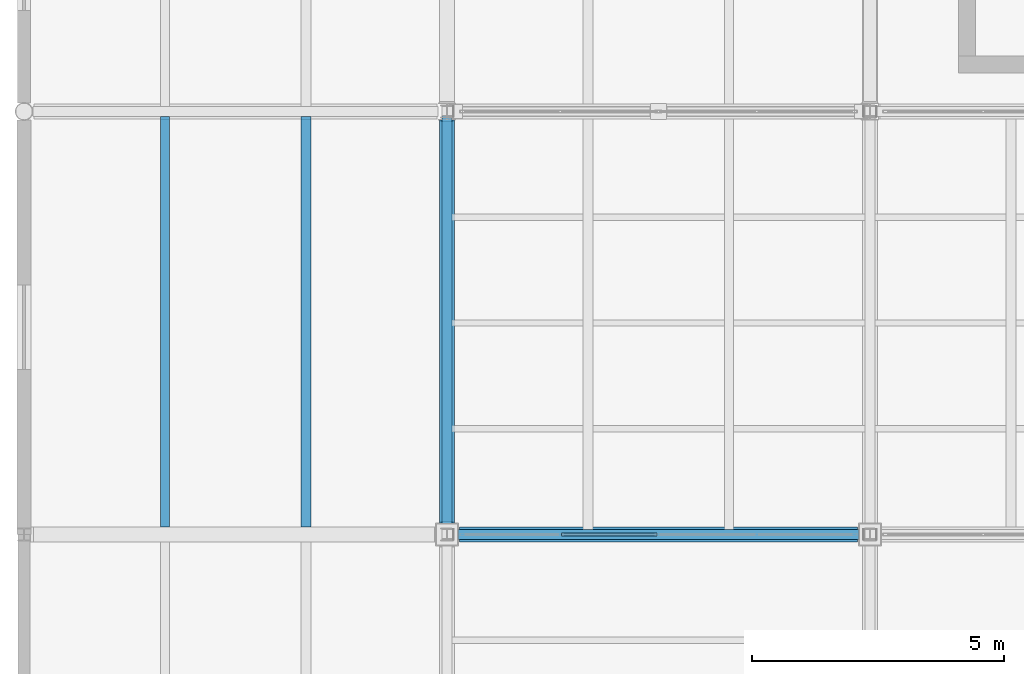
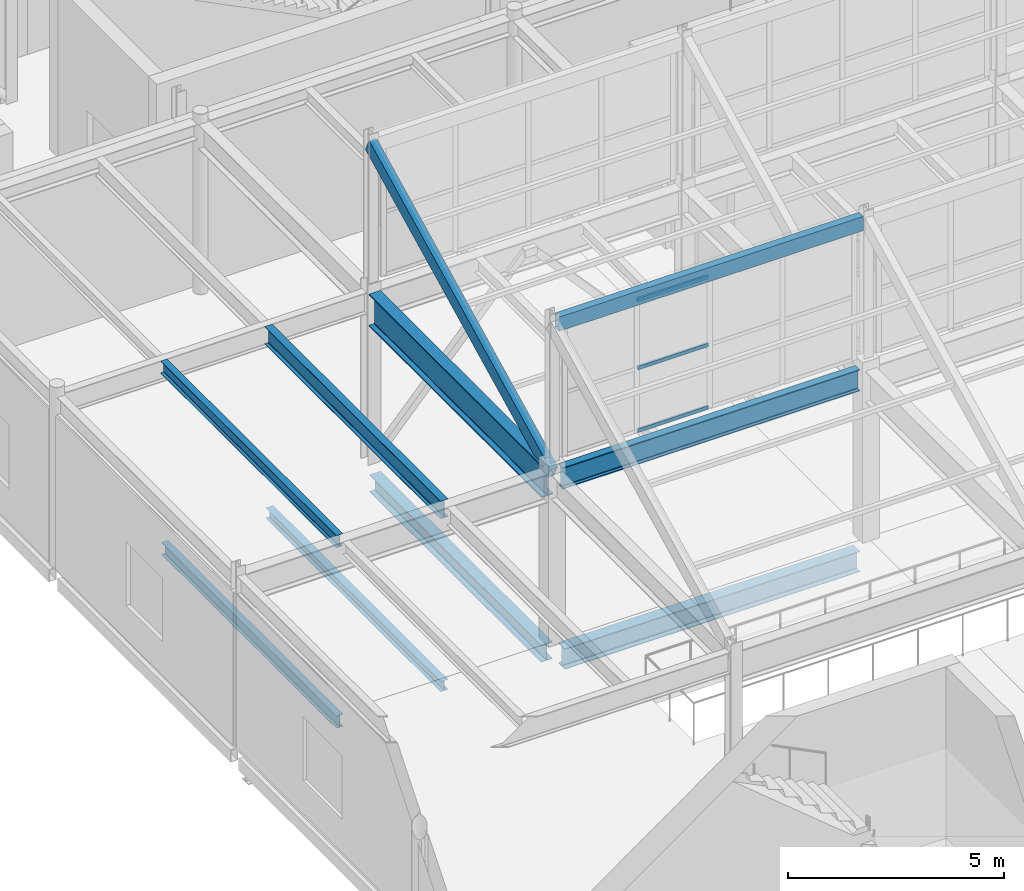
# One storey, part 29 of 91: 10 beams, 3 members, 1 element without a shape of its own.
"""IFC4 building model written with IfcOpenShell, lengths in metres."""

from ifc_helpers import new_model, si_unit, direction, frame, origin, origin_2d, place, context, subcontext, project, spatial, hollow_rectangle, i_section, extrude, material, layer, layer_set, material_profile, profile_set, type_object, element, aggregate, save


model = new_model("IFC4")

# Units and contexts
model_context = context("Model", 3, precision=1e-05, world=origin(), true_north=direction((0.0, 1.0)))
body_context = subcontext(model_context, "Body", "Model", "MODEL_VIEW")
ifc_project = project(units=[si_unit("LENGTHUNIT", "METRE"), si_unit("AREAUNIT", "SQUARE_METRE"), si_unit("VOLUMEUNIT", "CUBIC_METRE"), si_unit("PLANEANGLEUNIT", "RADIAN"), si_unit("MASSUNIT", "GRAM", prefix="KILO"), si_unit("THERMODYNAMICTEMPERATUREUNIT", "KELVIN")], contexts=[model_context])

# Site, building, storey
site_placement = place(None, origin())
site = spatial("IfcSite", under=ifc_project, at=site_placement, CompositionType="ELEMENT")
building_placement = place(site_placement, origin())
building = spatial("IfcBuilding", under=site, at=building_placement, Name="Lustrewick Department Store", CompositionType="ELEMENT")
storey_placement = place(building_placement, frame((0.0, 0.0, 21.60009765625)))
storey = spatial("IfcBuildingStorey", under=building, at=storey_placement, Name="L05", CompositionType="ELEMENT", Elevation=21.60009765625)

# Beams
ifc_material_1 = material(Name="Structural steel Q355B", Category="steel")
ifc_material_profile_1 = material_profile(ifc_material_1, i_section(OverallWidth=0.199951171875, OverallDepth=0.5, WebThickness=0.010009765625, FlangeThickness=0.01611328125, FilletRadius=0.01611328125, at=origin_2d()), Name="HN 500x200x10x16")
ifc_profile_set_1 = profile_set([ifc_material_profile_1], Name="Structural steel Q355B")
beam_type_1 = type_object("IfcBeamType", Name="B01", PredefinedType="JOIST", material=ifc_profile_set_1)
beam_1_placement = place(storey_placement, frame((123.199951171875, 33.7509765625, 4.594970703125), z_axis=(0.0, 1.0, 0.0), x_axis=(-1.0, 0.0, 0.0)))
element("IfcBeam", 1, at=beam_1_placement, inside=storey, type_object=beam_type_1, Name="L05 V3 Secondary Joist B01", PredefinedType="JOIST", context=body_context, shape_type="SweptSolid", body=[
    extrude(i_section(OverallWidth=0.199951171875, OverallDepth=0.5, WebThickness=0.010009765625, FlangeThickness=0.01611328125, FilletRadius=0.01611328125, at=origin_2d()), origin(), (0.0, 0.0, 1.0), 8.1484375),
])
ifc_material_profile_2 = material_profile(ifc_material_1, i_section(OverallWidth=0.175048828125, OverallDepth=0.35009765625, WebThickness=0.007080078125, FlangeThickness=0.010986328125, FilletRadius=0.012939453125, at=origin_2d()), Name="HN 350x175x7x11")
ifc_profile_set_2 = profile_set([ifc_material_profile_2], Name="Structural steel Q355B")
beam_type_2 = type_object("IfcBeamType", Name="B09", PredefinedType="JOIST", material=ifc_profile_set_2)
beam_2_placement = place(storey_placement, frame((120.39990234375, 33.74951171875, -0.43017578125), z_axis=(0.0, 1.0, 0.0), x_axis=(-1.0, 0.0, 0.0)))
element("IfcBeam", 2, at=beam_2_placement, inside=storey, type_object=beam_type_2, Name="L05 V3 Secondary Joist B09", PredefinedType="JOIST", context=body_context, shape_type="SweptSolid", body=[
    extrude(i_section(OverallWidth=0.175048828125, OverallDepth=0.35009765625, WebThickness=0.007080078125, FlangeThickness=0.010986328125, FilletRadius=0.012939453125, at=origin_2d()), origin(), (0.0, 0.0, 1.0), 8.1005859375),
])
ifc_material_profile_3 = material_profile(ifc_material_1, i_section(OverallWidth=0.174072265625, OverallDepth=0.345947265625, WebThickness=0.006103515625, FlangeThickness=0.009033203125, FilletRadius=0.012939453125, at=origin_2d()), Name="HN 346x174x6x9")
ifc_profile_set_3 = profile_set([ifc_material_profile_3], Name="Structural steel Q355B")
beam_type_3 = type_object("IfcBeamType", Name="B10", PredefinedType="JOIST", material=ifc_profile_set_3)
beam_3_placement = place(storey_placement, frame((120.39990234375, 33.7509765625, 4.671875), z_axis=(0.0, 1.0, 0.0), x_axis=(-1.0, 0.0, 0.0)))
element("IfcBeam", 3, at=beam_3_placement, inside=storey, type_object=beam_type_3, Name="L05 V3 Secondary Joist B10", PredefinedType="JOIST", context=body_context, shape_type="SweptSolid", body=[
    extrude(i_section(OverallWidth=0.174072265625, OverallDepth=0.345947265625, WebThickness=0.006103515625, FlangeThickness=0.009033203125, FilletRadius=0.012939453125, at=origin_2d()), origin(), (0.0, 0.0, 1.0), 8.1484375),
])
ifc_material_profile_4 = material_profile(ifc_material_1, i_section(OverallWidth=0.199951171875, OverallDepth=0.2939453125, WebThickness=0.008056640625, FlangeThickness=0.011962890625, FilletRadius=0.013916015625, at=origin_2d()), Name="HM 294x200x8x12")
ifc_profile_set_4 = profile_set([ifc_material_profile_4], Name="Structural steel Q355B")
beam_type_4 = type_object("IfcBeamType", Name="B13", PredefinedType="JOIST", material=ifc_profile_set_4)
beam_4_placement = place(storey_placement, frame((123.199951171875, 33.74951171875, -0.402099609375), z_axis=(0.0, 1.0, 0.0), x_axis=(-1.0, 0.0, 0.0)))
element("IfcBeam", 4, at=beam_4_placement, inside=storey, type_object=beam_type_4, Name="L05 V3 Secondary Joist B13", PredefinedType="JOIST", context=body_context, shape_type="SweptSolid", body=[
    extrude(i_section(OverallWidth=0.199951171875, OverallDepth=0.2939453125, WebThickness=0.008056640625, FlangeThickness=0.011962890625, FilletRadius=0.013916015625, at=origin_2d()), origin(), (0.0, 0.0, 1.0), 8.1005859375),
])

# Curtain wall, members
ifc_material_2 = material(Name="Thermally broken aluminium 6063-T5", Category="aluminium")
ifc_layer = layer(ifc_material_2, 0.139892578125, Name="Thermally broken aluminium 6063-T5")
ifc_layer_set = layer_set([ifc_layer], Name="Thermally broken aluminium 6063-T5")
curtain_wall_type = type_object("IfcCurtainWallType", Name="CW15", PredefinedType="NOTDEFINED", material=ifc_layer_set)
curtain_wall_placement = place(storey_placement, origin())
curtain_wall = element("IfcCurtainWall", 5, at=curtain_wall_placement, inside=storey, type_object=curtain_wall_type, Name="L05 North-Light Clerestory CW15", PredefinedType="NOTDEFINED")
ifc_material_profile_5 = material_profile(ifc_material_2, hollow_rectangle(XDim=0.054931640625, YDim=0.10009765625, WallThickness=0.0029296875, at=origin_2d()), Name="ALU-T 55x100x3")
ifc_profile_set_5 = profile_set([ifc_material_profile_5], Name="Thermally broken aluminium 6063-T5")
member_type = type_object("IfcMemberType", Name="CW15-T1", PredefinedType="USERDEFINED", material=ifc_profile_set_5)
member_1_placement = place(storey_placement, frame((128.277587890625, 33.60009765625, 5.12744140625), z_axis=(1.0, 0.0, 0.0), x_axis=(0.0, 1.0, 0.0)))
member_1 = element("IfcMember", 6, at=member_1_placement, type_object=member_type, Name="CW15 transom 2.1", ObjectType="TRANSOM", PredefinedType="USERDEFINED", context=body_context, shape_type="SweptSolid", body=[
    extrude(hollow_rectangle(XDim=0.054931640625, YDim=0.10009765625, WallThickness=0.0029296875, at=origin_2d()), origin(), (0.0, 0.0, 1.0), 1.89501953125),
])
member_2_placement = place(storey_placement, frame((128.277587890625, 33.60009765625, 6.89990234375), z_axis=(1.0, 0.0, 0.0), x_axis=(0.0, 1.0, 0.0)))
member_2 = element("IfcMember", 7, at=member_2_placement, type_object=member_type, Name="CW15 transom 2.2", ObjectType="TRANSOM", PredefinedType="USERDEFINED", context=body_context, shape_type="SweptSolid", body=[
    extrude(hollow_rectangle(XDim=0.054931640625, YDim=0.10009765625, WallThickness=0.0029296875, at=origin_2d()), origin(), (0.0, 0.0, 1.0), 1.89501953125),
])
member_3_placement = place(storey_placement, frame((128.277587890625, 33.60009765625, 8.822509765625), z_axis=(1.0, 0.0, 0.0), x_axis=(0.0, 1.0, 0.0)))
member_3 = element("IfcMember", 8, at=member_3_placement, type_object=member_type, Name="CW15 transom 2.3", ObjectType="TRANSOM", PredefinedType="USERDEFINED", context=body_context, shape_type="SweptSolid", body=[
    extrude(hollow_rectangle(XDim=0.054931640625, YDim=0.10009765625, WallThickness=0.0029296875, at=origin_2d()), origin(), (0.0, 0.0, 1.0), 1.89501953125),
])
aggregate(curtain_wall, [member_1, member_2, member_3])

# Beams
ifc_material_3 = material(Name="Structural steel Q355C", Category="steel")
ifc_material_profile_6 = material_profile(ifc_material_3, i_section(OverallWidth=0.302001953125, OverallDepth=0.912109375, WebThickness=0.01806640625, FlangeThickness=0.033935546875, FilletRadius=0.02392578125, at=origin_2d()), Name="HN 912x302x18x34")
ifc_profile_set_6 = profile_set([ifc_material_profile_6], Name="Structural steel Q355C")
beam_type_5 = type_object("IfcBeamType", Name="G01", PredefinedType="BEAM", material=ifc_profile_set_6)
beam_5_placement = place(storey_placement, frame((126.0, 33.824951171875, 4.388916015625), z_axis=(0.0, 1.0, 0.0), x_axis=(-1.0, 0.0, 0.0)))
element("IfcBeam", 9, at=beam_5_placement, inside=storey, type_object=beam_type_5, Name="L05 V3 Girder G01", PredefinedType="BEAM", context=body_context, shape_type="SweptSolid", body=[
    extrude(i_section(OverallWidth=0.302001953125, OverallDepth=0.912109375, WebThickness=0.01806640625, FlangeThickness=0.033935546875, FilletRadius=0.02392578125, at=origin_2d()), origin(), (0.0, 0.0, 1.0), 8.0029296875),
])
ifc_material_profile_7 = material_profile(ifc_material_1, i_section(OverallWidth=0.300048828125, OverallDepth=0.58203125, WebThickness=0.011962890625, FlangeThickness=0.01708984375, FilletRadius=0.02392578125, at=origin_2d()), Name="HM 582x300x12x17")
ifc_profile_set_7 = profile_set([ifc_material_profile_7], Name="Structural steel Q355B")
beam_type_6 = type_object("IfcBeamType", Name="G12", PredefinedType="BEAM", material=ifc_profile_set_7)
beam_6_placement = place(storey_placement, frame((126.25, 33.60009765625, -0.546142578125), z_axis=(1.0, 0.0, 0.0), x_axis=(0.0, 1.0, 0.0)))
element("IfcBeam", 10, at=beam_6_placement, inside=storey, type_object=beam_type_6, Name="L05 V3 Girder G12", PredefinedType="BEAM", context=body_context, shape_type="SweptSolid", body=[
    extrude(i_section(OverallWidth=0.300048828125, OverallDepth=0.58203125, WebThickness=0.011962890625, FlangeThickness=0.01708984375, FilletRadius=0.02392578125, at=origin_2d()), origin(), (0.0, 0.0, 1.0), 7.89990234375),
])
ifc_material_profile_8 = material_profile(ifc_material_1, i_section(OverallWidth=0.200927734375, OverallDepth=0.60595703125, WebThickness=0.011962890625, FlangeThickness=0.02001953125, FilletRadius=0.01806640625, at=origin_2d()), Name="HN 606x201x12x20")
ifc_profile_set_8 = profile_set([ifc_material_profile_8], Name="Structural steel Q355B")
beam_type_7 = type_object("IfcBeamType", Name="G13", PredefinedType="BEAM", material=ifc_profile_set_8)
beam_7_placement = place(storey_placement, frame((126.22509765625, 33.60009765625, 4.5419921875), z_axis=(1.0, 0.0, 0.0), x_axis=(0.0, 1.0, 0.0)))
element("IfcBeam", 11, at=beam_7_placement, inside=storey, type_object=beam_type_7, Name="L05 V3 Girder G13", PredefinedType="BEAM", context=body_context, shape_type="SweptSolid", body=[
    extrude(i_section(OverallWidth=0.200927734375, OverallDepth=0.60595703125, WebThickness=0.011962890625, FlangeThickness=0.02001953125, FilletRadius=0.01806640625, at=origin_2d()), origin(), (0.0, 0.0, 1.0), 7.949951171875),
])
ifc_material_profile_9 = material_profile(ifc_material_3, hollow_rectangle(XDim=0.199951171875, YDim=0.39990234375, WallThickness=0.011962890625, at=origin_2d()), Name="RHS 400x200x12")
ifc_profile_set_9 = profile_set([ifc_material_profile_9], Name="Structural steel Q355C")
beam_type_8 = type_object("IfcBeamType", Name="G19", PredefinedType="BEAM", material=ifc_profile_set_9)
beam_8_placement = place(storey_placement, frame((126.1298828125, 33.60009765625, 8.93994140625), z_axis=(1.0, 0.0, 0.0), x_axis=(0.0, 1.0, 0.0)))
element("IfcBeam", 12, at=beam_8_placement, inside=storey, type_object=beam_type_8, Name="V3 Lantern Ridge Tie 1.1", PredefinedType="BEAM", context=body_context, shape_type="SweptSolid", body=[
    extrude(hollow_rectangle(XDim=0.199951171875, YDim=0.39990234375, WallThickness=0.011962890625, at=origin_2d()), origin(), (0.0, 0.0, 1.0), 8.14013671875),
])
beam_9_placement = place(storey_placement, frame((126.0, 33.60009765625, 4.739990234375), z_axis=(0.0, 0.894427191, 0.4472135955), x_axis=(-1.0, 0.0, 0.0)))
element("IfcBeam", 13, at=beam_9_placement, inside=storey, type_object=beam_type_8, Name="V3 Lantern Rafter 2.126", PredefinedType="BEAM", context=body_context, shape_type="SweptSolid", body=[
    extrude(hollow_rectangle(XDim=0.199951171875, YDim=0.39990234375, WallThickness=0.011962890625, at=origin_2d()), origin(), (0.0, 0.0, 1.0), 9.391357421875),
])
ifc_material_profile_10 = material_profile(ifc_material_1, i_section(OverallWidth=0.300048828125, OverallDepth=0.48193359375, WebThickness=0.010986328125, FlangeThickness=0.014892578125, FilletRadius=0.02197265625, at=origin_2d()), Name="HM 482x300x11x15")
ifc_profile_set_10 = profile_set([ifc_material_profile_10], Name="Structural steel Q355B")
beam_type_9 = type_object("IfcBeamType", Name="G20", PredefinedType="BEAM", material=ifc_profile_set_10)
beam_10_placement = place(storey_placement, frame((126.0, 33.85009765625, -0.49609375), z_axis=(0.0, 1.0, 0.0), x_axis=(-1.0, 0.0, 0.0)))
element("IfcBeam", 14, at=beam_10_placement, inside=storey, type_object=beam_type_9, Name="L05 V3 Girder G20", PredefinedType="BEAM", context=body_context, shape_type="SweptSolid", body=[
    extrude(i_section(OverallWidth=0.300048828125, OverallDepth=0.48193359375, WebThickness=0.010986328125, FlangeThickness=0.014892578125, FilletRadius=0.02197265625, at=origin_2d()), origin(), (0.0, 0.0, 1.0), 7.955810546875),
])

save(model, "model.ifc")
